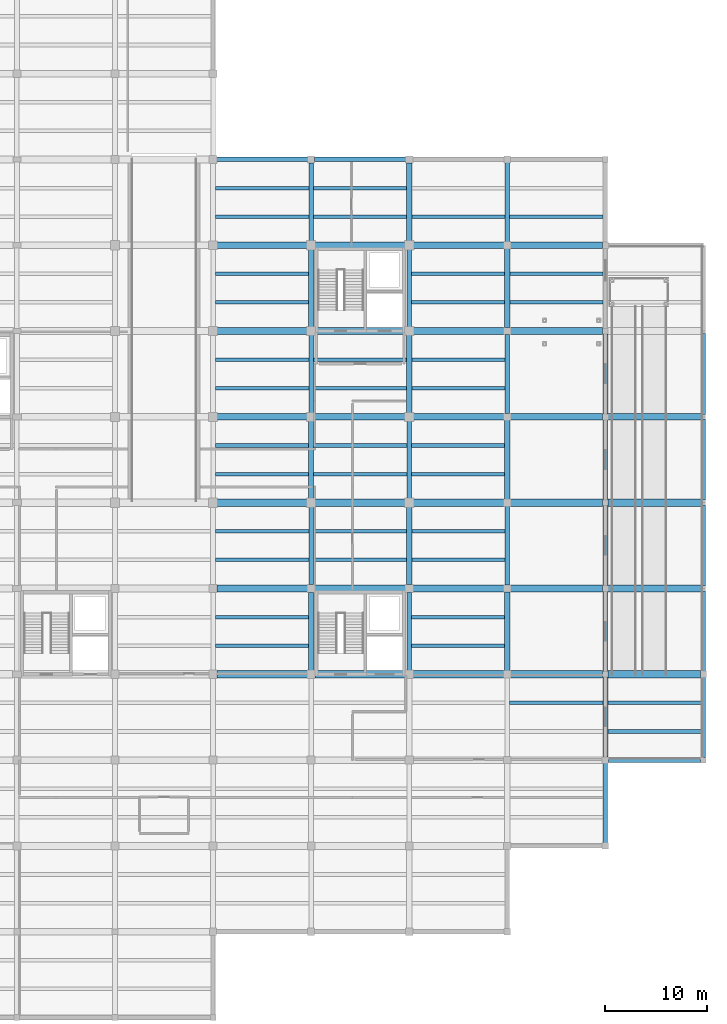
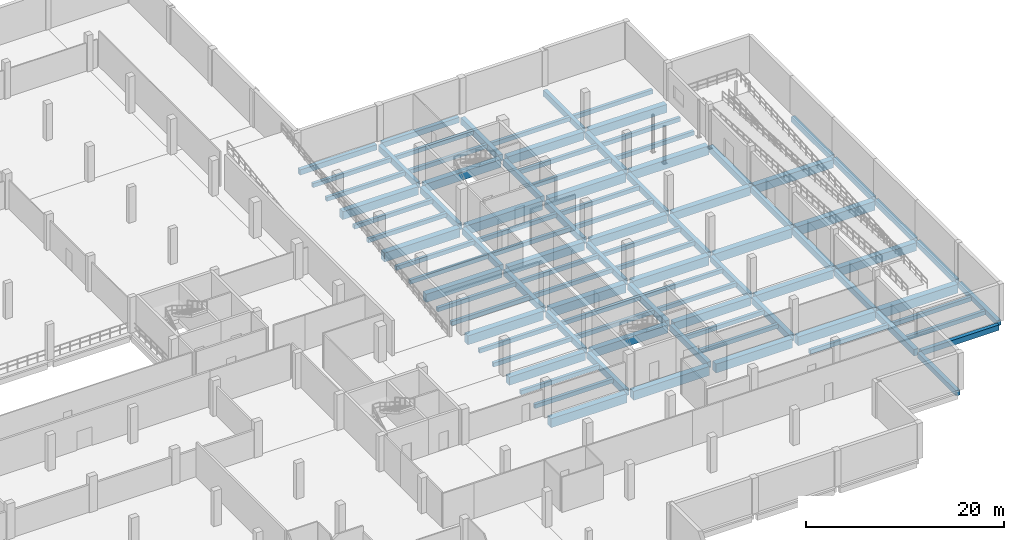
# One storey, part 12 of 30: 97 beams.
"""IFC4 building model written with IfcOpenShell, lengths in metres."""

from ifc_helpers import new_model, si_unit, direction, frame, origin, origin_2d, place, context, subcontext, project, spatial, rectangle, extrude, material, material_profile, profile_set, type_object, element, save


model = new_model("IFC4")

# Units and contexts
model_context = context("Model", 3, precision=1e-05, world=origin(), true_north=direction((0.0, 1.0)))
body_context = subcontext(model_context, "Body", "Model", "MODEL_VIEW")
ifc_project = project(units=[si_unit("LENGTHUNIT", "METRE"), si_unit("AREAUNIT", "SQUARE_METRE"), si_unit("VOLUMEUNIT", "CUBIC_METRE"), si_unit("PLANEANGLEUNIT", "RADIAN"), si_unit("MASSUNIT", "GRAM", prefix="KILO")], contexts=[model_context])

# Site, building, storey
site_placement = place(None, origin())
site = spatial("IfcSite", under=ifc_project, at=site_placement, CompositionType="ELEMENT")
building_placement = place(site_placement, origin())
building = spatial("IfcBuilding", under=site, at=building_placement, Name="Lornevale Opera House", CompositionType="ELEMENT")
storey_placement = place(building_placement, frame((0.0, 0.0, -4.800048828125)))
storey = spatial("IfcBuildingStorey", under=building, at=storey_placement, Name="B1", CompositionType="ELEMENT", Elevation=-4.800048828125)

# Beams
ifc_material_1 = material(Name="Concrete 35 MPa (CSA A23.1 N)", Category="concrete")
ifc_material_profile_1 = material_profile(ifc_material_1, rectangle(XDim=0.449951171875, YDim=0.75, at=origin_2d()), Name="RC450x750")
ifc_profile_set_1 = profile_set([ifc_material_profile_1], Name="Concrete 35 MPa (CSA A23.1 N)")
beam_type_1 = type_object("IfcBeamType", Name="Concrete Floor Beam 450x750", PredefinedType="USERDEFINED", material=ifc_profile_set_1)
beam_1_placement = place(storey_placement, frame((134.39990234375, 42.375, -0.794921875), z_axis=(0.0, 1.0, 0.0), x_axis=(-1.0, 0.0, 0.0)))
element("IfcBeam", 1, at=beam_1_placement, inside=storey, type_object=beam_type_1, Name="Concrete Floor Beam 450x750 0424", ObjectType="GIRDER", PredefinedType="USERDEFINED", context=body_context, shape_type="SweptSolid", body=[
    extrude(rectangle(XDim=0.449951171875, YDim=0.75, at=origin_2d()), origin(), (0.0, 0.0, 1.0), 7.625),
])
beam_2_placement = place(storey_placement, frame((134.39990234375, 59.199951171875, -0.794921875), z_axis=(0.0, 1.0, 0.0), x_axis=(-1.0, 0.0, 0.0)))
element("IfcBeam", 2, at=beam_2_placement, inside=storey, type_object=beam_type_1, Name="Concrete Floor Beam 450x750 0426", ObjectType="GIRDER", PredefinedType="USERDEFINED", context=body_context, shape_type="SweptSolid", body=[
    extrude(rectangle(XDim=0.449951171875, YDim=0.75, at=origin_2d()), origin(), (0.0, 0.0, 1.0), 7.60009765625),
])
beam_3_placement = place(storey_placement, frame((134.39990234375, 76.0, -0.794921875), z_axis=(0.0, 1.0, 0.0), x_axis=(-1.0, 0.0, 0.0)))
element("IfcBeam", 3, at=beam_3_placement, inside=storey, type_object=beam_type_1, Name="Concrete Floor Beam 450x750 0428", ObjectType="GIRDER", PredefinedType="USERDEFINED", context=body_context, shape_type="SweptSolid", body=[
    extrude(rectangle(XDim=0.449951171875, YDim=0.75, at=origin_2d()), origin(), (0.0, 0.0, 1.0), 7.675048828125),
])
beam_4_placement = place(storey_placement, frame((144.0, 33.97509765625, -0.794921875), z_axis=(0.0, 1.0, 0.0), x_axis=(-1.0, 0.0, 0.0)))
element("IfcBeam", 4, at=beam_4_placement, inside=storey, type_object=beam_type_1, Name="Concrete Floor Beam 450x750 0432", ObjectType="GIRDER", PredefinedType="USERDEFINED", context=body_context, shape_type="SweptSolid", body=[
    extrude(rectangle(XDim=0.449951171875, YDim=0.75, at=origin_2d()), origin(), (0.0, 0.0, 1.0), 7.64990234375),
])
for number, where, z_axis, x_axis, name in (
    (5, (144.0, 50.800048828125, -0.794921875), (0.0, 1.0, 0.0), (-1.0, 0.0, 0.0), "Concrete Floor Beam 450x750 0434"),
    (6, (144.0, 67.60009765625, -0.794921875), (0.0, 1.0, 0.0), (-1.0, 0.0, 0.0), "Concrete Floor Beam 450x750 0436"),
):
    element("IfcBeam", number, at=place(storey_placement, frame(where, z_axis=z_axis, x_axis=x_axis)), inside=storey, type_object=beam_type_1, Name=name, ObjectType="GIRDER", PredefinedType="USERDEFINED", context=body_context, shape_type="SweptSolid", body=[
        extrude(rectangle(XDim=0.449951171875, YDim=0.75, at=origin_2d()), origin(), (0.0, 0.0, 1.0), 7.599853515625),
    ])
for number, where, z_axis, x_axis, name in (
    (7, (153.60009765625, 42.324951171875, -0.794921875), (0.0, 1.0, 0.0), (-1.0, 0.0, 0.0), "Concrete Floor Beam 450x750 0442"),
    (8, (153.60009765625, 59.125, -0.794921875), (0.0, 1.0, 0.0), (-1.0, 0.0, 0.0), "Concrete Floor Beam 450x750 0444"),
):
    element("IfcBeam", number, at=place(storey_placement, frame(where, z_axis=z_axis, x_axis=x_axis)), inside=storey, type_object=beam_type_1, Name=name, ObjectType="GIRDER", PredefinedType="USERDEFINED", context=body_context, shape_type="SweptSolid", body=[
        extrude(rectangle(XDim=0.449951171875, YDim=0.75, at=origin_2d()), origin(), (0.0, 0.0, 1.0), 7.75),
    ])
beam_5_placement = place(storey_placement, frame((153.60009765625, 75.925048828125, -0.794921875), z_axis=(0.0, 1.0, 0.0), x_axis=(-1.0, 0.0, 0.0)))
element("IfcBeam", 9, at=beam_5_placement, inside=storey, type_object=beam_type_1, Name="Concrete Floor Beam 450x750 0446", ObjectType="GIRDER", PredefinedType="USERDEFINED", context=body_context, shape_type="SweptSolid", body=[
    extrude(rectangle(XDim=0.449951171875, YDim=0.75, at=origin_2d()), origin(), (0.0, 0.0, 1.0), 7.77490234375),
])
beam_6_placement = place(storey_placement, frame((163.199951171875, 33.875, -0.794921875), z_axis=(0.0, 1.0, 0.0), x_axis=(-1.0, 0.0, 0.0)))
element("IfcBeam", 10, at=beam_6_placement, inside=storey, type_object=beam_type_1, Name="Concrete Floor Beam 450x750 0449", ObjectType="GIRDER", PredefinedType="USERDEFINED", context=body_context, shape_type="SweptSolid", body=[
    extrude(rectangle(XDim=0.449951171875, YDim=0.75, at=origin_2d()), origin(), (0.0, 0.0, 1.0), 7.85009765625),
])
beam_7_placement = place(storey_placement, frame((163.199951171875, 50.675048828125, -0.794921875), z_axis=(0.0, 1.0, 0.0), x_axis=(-1.0, 0.0, 0.0)))
element("IfcBeam", 11, at=beam_7_placement, inside=storey, type_object=beam_type_1, Name="Concrete Floor Beam 450x750 0451", ObjectType="GIRDER", PredefinedType="USERDEFINED", context=body_context, shape_type="SweptSolid", body=[
    extrude(rectangle(XDim=0.449951171875, YDim=0.75, at=origin_2d()), origin(), (0.0, 0.0, 1.0), 7.849853515625),
])
ifc_material_profile_2 = material_profile(ifc_material_1, rectangle(XDim=0.5, YDim=0.800048828125, at=origin_2d()), Name="RC500x800")
ifc_profile_set_2 = profile_set([ifc_material_profile_2], Name="Concrete 35 MPa (CSA A23.1 N)")
beam_type_2 = type_object("IfcBeamType", Name="Concrete Floor Beam 500x800", PredefinedType="USERDEFINED", material=ifc_profile_set_2)
beam_8_placement = place(storey_placement, frame((134.39990234375, 33.97509765625, -0.820068359375), z_axis=(0.0, 1.0, 0.0), x_axis=(-1.0, 0.0, 0.0)))
element("IfcBeam", 12, at=beam_8_placement, inside=storey, type_object=beam_type_2, Name="Concrete Floor Beam 500x800 0423", ObjectType="GIRDER", PredefinedType="USERDEFINED", context=body_context, shape_type="SweptSolid", body=[
    extrude(rectangle(XDim=0.5, YDim=0.800048828125, at=origin_2d()), origin(), (0.0, 0.0, 1.0), 7.64990234375),
])
for number, where, z_axis, x_axis, name in (
    (13, (134.39990234375, 50.800048828125, -0.820068359375), (0.0, 1.0, 0.0), (-1.0, 0.0, 0.0), "Concrete Floor Beam 500x800 0425"),
    (14, (134.39990234375, 67.60009765625, -0.820068359375), (0.0, 1.0, 0.0), (-1.0, 0.0, 0.0), "Concrete Floor Beam 500x800 0427"),
):
    element("IfcBeam", number, at=place(storey_placement, frame(where, z_axis=z_axis, x_axis=x_axis)), inside=storey, type_object=beam_type_2, Name=name, ObjectType="GIRDER", PredefinedType="USERDEFINED", context=body_context, shape_type="SweptSolid", body=[
        extrude(rectangle(XDim=0.5, YDim=0.800048828125, at=origin_2d()), origin(), (0.0, 0.0, 1.0), 7.599853515625),
    ])
beam_9_placement = place(storey_placement, frame((144.0, 42.375, -0.820068359375), z_axis=(0.0, 1.0, 0.0), x_axis=(-1.0, 0.0, 0.0)))
element("IfcBeam", 15, at=beam_9_placement, inside=storey, type_object=beam_type_2, Name="Concrete Floor Beam 500x800 0433", ObjectType="GIRDER", PredefinedType="USERDEFINED", context=body_context, shape_type="SweptSolid", body=[
    extrude(rectangle(XDim=0.5, YDim=0.800048828125, at=origin_2d()), origin(), (0.0, 0.0, 1.0), 7.625),
])
beam_10_placement = place(storey_placement, frame((144.0, 59.199951171875, -0.820068359375), z_axis=(0.0, 1.0, 0.0), x_axis=(-1.0, 0.0, 0.0)))
element("IfcBeam", 16, at=beam_10_placement, inside=storey, type_object=beam_type_2, Name="Concrete Floor Beam 500x800 0435", ObjectType="GIRDER", PredefinedType="USERDEFINED", context=body_context, shape_type="SweptSolid", body=[
    extrude(rectangle(XDim=0.5, YDim=0.800048828125, at=origin_2d()), origin(), (0.0, 0.0, 1.0), 7.60009765625),
])
beam_11_placement = place(storey_placement, frame((144.0, 76.0, -0.820068359375), z_axis=(0.0, 1.0, 0.0), x_axis=(-1.0, 0.0, 0.0)))
element("IfcBeam", 17, at=beam_11_placement, inside=storey, type_object=beam_type_2, Name="Concrete Floor Beam 500x800 0437", ObjectType="GIRDER", PredefinedType="USERDEFINED", context=body_context, shape_type="SweptSolid", body=[
    extrude(rectangle(XDim=0.5, YDim=0.800048828125, at=origin_2d()), origin(), (0.0, 0.0, 1.0), 7.675048828125),
])
for number, where, z_axis, x_axis, name in (
    (18, (153.60009765625, 33.925048828125, -0.820068359375), (0.0, 1.0, 0.0), (-1.0, 0.0, 0.0), "Concrete Floor Beam 500x800 0441"),
    (19, (153.60009765625, 50.72509765625, -0.820068359375), (0.0, 1.0, 0.0), (-1.0, 0.0, 0.0), "Concrete Floor Beam 500x800 0443"),
    (20, (153.60009765625, 67.52490234375, -0.820068359375), (0.0, 1.0, 0.0), (-1.0, 0.0, 0.0), "Concrete Floor Beam 500x800 0445"),
):
    element("IfcBeam", number, at=place(storey_placement, frame(where, z_axis=z_axis, x_axis=x_axis)), inside=storey, type_object=beam_type_2, Name=name, ObjectType="GIRDER", PredefinedType="USERDEFINED", context=body_context, shape_type="SweptSolid", body=[
        extrude(rectangle(XDim=0.5, YDim=0.800048828125, at=origin_2d()), origin(), (0.0, 0.0, 1.0), 7.75),
    ])
beam_12_placement = place(storey_placement, frame((163.199951171875, 25.5, -0.820068359375), z_axis=(0.0, 1.0, 0.0), x_axis=(-1.0, 0.0, 0.0)))
element("IfcBeam", 21, at=beam_12_placement, inside=storey, type_object=beam_type_2, Name="Concrete Floor Beam 500x800 0448", ObjectType="GIRDER", PredefinedType="USERDEFINED", context=body_context, shape_type="SweptSolid", body=[
    extrude(rectangle(XDim=0.5, YDim=0.800048828125, at=origin_2d()), origin(), (0.0, 0.0, 1.0), 7.824951171875),
])
for number, where, z_axis, x_axis, name in (
    (22, (163.199951171875, 42.27490234375, -0.820068359375), (0.0, 1.0, 0.0), (-1.0, 0.0, 0.0), "Concrete Floor Beam 500x800 0450"),
    (23, (163.199951171875, 59.074951171875, -0.820068359375), (0.0, 1.0, 0.0), (-1.0, 0.0, 0.0), "Concrete Floor Beam 500x800 0452"),
):
    element("IfcBeam", number, at=place(storey_placement, frame(where, z_axis=z_axis, x_axis=x_axis)), inside=storey, type_object=beam_type_2, Name=name, ObjectType="GIRDER", PredefinedType="USERDEFINED", context=body_context, shape_type="SweptSolid", body=[
        extrude(rectangle(XDim=0.5, YDim=0.800048828125, at=origin_2d()), origin(), (0.0, 0.0, 1.0), 7.85009765625),
    ])
ifc_material_2 = material(Name="Concrete 40 MPa (CSA A23.1 C-1)", Category="concrete")
ifc_material_profile_3 = material_profile(ifc_material_2, rectangle(XDim=0.64990234375, YDim=1.0, at=origin_2d()), Name="RC650x1000")
ifc_profile_set_3 = profile_set([ifc_material_profile_3], Name="Concrete 40 MPa (CSA A23.1 C-1)")
beam_type_3 = type_object("IfcBeamType", Name="Concrete Primary Girder 650x1000", PredefinedType="USERDEFINED", material=ifc_profile_set_3)
beam_13_placement = place(storey_placement, frame((125.175048828125, 42.0, -0.919921875), z_axis=(1.0, 0.0, 0.0), x_axis=(0.0, 1.0, 0.0)))
element("IfcBeam", 24, at=beam_13_placement, inside=storey, type_object=beam_type_3, Name="Concrete Primary Girder 650x1000 0096", ObjectType="GIRDER", PredefinedType="USERDEFINED", context=body_context, shape_type="SweptSolid", body=[
    extrude(rectangle(XDim=0.64990234375, YDim=1.0, at=origin_2d()), origin(), (0.0, 0.0, 1.0), 8.849853515625),
])
beam_14_placement = place(storey_placement, frame((134.77490234375, 42.0, -0.919921875), z_axis=(1.0, 0.0, 0.0), x_axis=(0.0, 1.0, 0.0)))
element("IfcBeam", 25, at=beam_14_placement, inside=storey, type_object=beam_type_3, Name="Concrete Primary Girder 650x1000 0097", ObjectType="GIRDER", PredefinedType="USERDEFINED", context=body_context, shape_type="SweptSolid", body=[
    extrude(rectangle(XDim=0.64990234375, YDim=1.0, at=origin_2d()), origin(), (0.0, 0.0, 1.0), 8.85009765625),
])
beam_15_placement = place(storey_placement, frame((144.375, 42.0, -0.919921875), z_axis=(1.0, 0.0, 0.0), x_axis=(0.0, 1.0, 0.0)))
element("IfcBeam", 26, at=beam_15_placement, inside=storey, type_object=beam_type_3, Name="Concrete Primary Girder 650x1000 0098", ObjectType="GIRDER", PredefinedType="USERDEFINED", context=body_context, shape_type="SweptSolid", body=[
    extrude(rectangle(XDim=0.64990234375, YDim=1.0, at=origin_2d()), origin(), (0.0, 0.0, 1.0), 8.89990234375),
])
beam_16_placement = place(storey_placement, frame((153.925048828125, 42.0, -0.919921875), z_axis=(1.0, 0.0, 0.0), x_axis=(0.0, 1.0, 0.0)))
element("IfcBeam", 27, at=beam_16_placement, inside=storey, type_object=beam_type_3, Name="Concrete Primary Girder 650x1000 0099", ObjectType="GIRDER", PredefinedType="USERDEFINED", context=body_context, shape_type="SweptSolid", body=[
    extrude(rectangle(XDim=0.64990234375, YDim=1.0, at=origin_2d()), origin(), (0.0, 0.0, 1.0), 9.0),
])
beam_17_placement = place(storey_placement, frame((163.47509765625, 42.0, -0.919921875), z_axis=(1.0, 0.0, 0.0), x_axis=(0.0, 1.0, 0.0)))
element("IfcBeam", 28, at=beam_17_placement, inside=storey, type_object=beam_type_3, Name="Concrete Primary Girder 650x1000 0100", ObjectType="GIRDER", PredefinedType="USERDEFINED", context=body_context, shape_type="SweptSolid", body=[
    extrude(rectangle(XDim=0.64990234375, YDim=1.0, at=origin_2d()), origin(), (0.0, 0.0, 1.0), 9.099853515625),
])
for number, where, z_axis, x_axis, name in (
    (29, (125.199951171875, 58.800048828125, -0.919921875), (1.0, 0.0, 0.0), (0.0, 1.0, 0.0), "Concrete Primary Girder 650x1000 0132"),
    (30, (134.800048828125, 58.800048828125, -0.919921875), (1.0, 0.0, 0.0), (0.0, 1.0, 0.0), "Concrete Primary Girder 650x1000 0133"),
):
    element("IfcBeam", number, at=place(storey_placement, frame(where, z_axis=z_axis, x_axis=x_axis)), inside=storey, type_object=beam_type_3, Name=name, ObjectType="GIRDER", PredefinedType="USERDEFINED", context=body_context, shape_type="SweptSolid", body=[
        extrude(rectangle(XDim=0.64990234375, YDim=1.0, at=origin_2d()), origin(), (0.0, 0.0, 1.0), 8.800048828125),
    ])
beam_18_placement = place(storey_placement, frame((144.39990234375, 58.800048828125, -0.919921875), z_axis=(1.0, 0.0, 0.0), x_axis=(0.0, 1.0, 0.0)))
element("IfcBeam", 31, at=beam_18_placement, inside=storey, type_object=beam_type_3, Name="Concrete Primary Girder 650x1000 0134", ObjectType="GIRDER", PredefinedType="USERDEFINED", context=body_context, shape_type="SweptSolid", body=[
    extrude(rectangle(XDim=0.64990234375, YDim=1.0, at=origin_2d()), origin(), (0.0, 0.0, 1.0), 8.875),
])
beam_19_placement = place(storey_placement, frame((153.925048828125, 58.800048828125, -0.919921875), z_axis=(1.0, 0.0, 0.0), x_axis=(0.0, 1.0, 0.0)))
element("IfcBeam", 32, at=beam_19_placement, inside=storey, type_object=beam_type_3, Name="Concrete Primary Girder 650x1000 0135", ObjectType="GIRDER", PredefinedType="USERDEFINED", context=body_context, shape_type="SweptSolid", body=[
    extrude(rectangle(XDim=0.64990234375, YDim=1.0, at=origin_2d()), origin(), (0.0, 0.0, 1.0), 9.0),
])
beam_20_placement = place(storey_placement, frame((163.47509765625, 58.800048828125, -0.919921875), z_axis=(1.0, 0.0, 0.0), x_axis=(0.0, 1.0, 0.0)))
element("IfcBeam", 33, at=beam_20_placement, inside=storey, type_object=beam_type_3, Name="Concrete Primary Girder 650x1000 0136", ObjectType="GIRDER", PredefinedType="USERDEFINED", context=body_context, shape_type="SweptSolid", body=[
    extrude(rectangle(XDim=0.64990234375, YDim=1.0, at=origin_2d()), origin(), (0.0, 0.0, 1.0), 9.099853515625),
])
for number, where, z_axis, x_axis, name in (
    (34, (125.199951171875, 75.60009765625, -0.919921875), (1.0, 0.0, 0.0), (0.0, 1.0, 0.0), "Concrete Primary Girder 650x1000 0168"),
    (35, (134.800048828125, 75.60009765625, -0.919921875), (1.0, 0.0, 0.0), (0.0, 1.0, 0.0), "Concrete Primary Girder 650x1000 0169"),
):
    element("IfcBeam", number, at=place(storey_placement, frame(where, z_axis=z_axis, x_axis=x_axis)), inside=storey, type_object=beam_type_3, Name=name, ObjectType="GIRDER", PredefinedType="USERDEFINED", context=body_context, shape_type="SweptSolid", body=[
        extrude(rectangle(XDim=0.64990234375, YDim=1.0, at=origin_2d()), origin(), (0.0, 0.0, 1.0), 8.800048828125),
    ])
beam_21_placement = place(storey_placement, frame((144.39990234375, 75.60009765625, -0.919921875), z_axis=(1.0, 0.0, 0.0), x_axis=(0.0, 1.0, 0.0)))
element("IfcBeam", 36, at=beam_21_placement, inside=storey, type_object=beam_type_3, Name="Concrete Primary Girder 650x1000 0170", ObjectType="GIRDER", PredefinedType="USERDEFINED", context=body_context, shape_type="SweptSolid", body=[
    extrude(rectangle(XDim=0.64990234375, YDim=1.0, at=origin_2d()), origin(), (0.0, 0.0, 1.0), 8.875),
])
beam_22_placement = place(storey_placement, frame((153.925048828125, 75.60009765625, -0.919921875), z_axis=(1.0, 0.0, 0.0), x_axis=(0.0, 1.0, 0.0)))
element("IfcBeam", 37, at=beam_22_placement, inside=storey, type_object=beam_type_3, Name="Concrete Primary Girder 650x1000 0171", ObjectType="GIRDER", PredefinedType="USERDEFINED", context=body_context, shape_type="SweptSolid", body=[
    extrude(rectangle(XDim=0.64990234375, YDim=1.0, at=origin_2d()), origin(), (0.0, 0.0, 1.0), 9.0),
])
ifc_material_profile_4 = material_profile(ifc_material_2, rectangle(XDim=0.699951171875, YDim=1.10009765625, at=origin_2d()), Name="RC700x1100")
ifc_profile_set_4 = profile_set([ifc_material_profile_4], Name="Concrete 40 MPa (CSA A23.1 C-1)")
beam_type_4 = type_object("IfcBeamType", Name="Concrete Primary Girder 700x1100", PredefinedType="USERDEFINED", material=ifc_profile_set_4)
beam_23_placement = place(storey_placement, frame((125.175048828125, 33.60009765625, -0.969970703125), z_axis=(1.0, 0.0, 0.0), x_axis=(0.0, 1.0, 0.0)))
element("IfcBeam", 38, at=beam_23_placement, inside=storey, type_object=beam_type_4, Name="Concrete Primary Girder 700x1100 0078", ObjectType="GIRDER", PredefinedType="USERDEFINED", context=body_context, shape_type="SweptSolid", body=[
    extrude(rectangle(XDim=0.699951171875, YDim=1.10009765625, at=origin_2d()), origin(), (0.0, 0.0, 1.0), 8.849853515625),
])
beam_24_placement = place(storey_placement, frame((134.77490234375, 33.60009765625, -0.969970703125), z_axis=(1.0, 0.0, 0.0), x_axis=(0.0, 1.0, 0.0)))
element("IfcBeam", 39, at=beam_24_placement, inside=storey, type_object=beam_type_4, Name="Concrete Primary Girder 700x1100 0079", ObjectType="GIRDER", PredefinedType="USERDEFINED", context=body_context, shape_type="SweptSolid", body=[
    extrude(rectangle(XDim=0.699951171875, YDim=1.10009765625, at=origin_2d()), origin(), (0.0, 0.0, 1.0), 8.85009765625),
])
beam_25_placement = place(storey_placement, frame((144.375, 33.60009765625, -0.969970703125), z_axis=(1.0, 0.0, 0.0), x_axis=(0.0, 1.0, 0.0)))
element("IfcBeam", 40, at=beam_25_placement, inside=storey, type_object=beam_type_4, Name="Concrete Primary Girder 700x1100 0080", ObjectType="GIRDER", PredefinedType="USERDEFINED", context=body_context, shape_type="SweptSolid", body=[
    extrude(rectangle(XDim=0.699951171875, YDim=1.10009765625, at=origin_2d()), origin(), (0.0, 0.0, 1.0), 8.89990234375),
])
beam_26_placement = place(storey_placement, frame((153.925048828125, 33.60009765625, -0.969970703125), z_axis=(1.0, 0.0, 0.0), x_axis=(0.0, 1.0, 0.0)))
element("IfcBeam", 41, at=beam_26_placement, inside=storey, type_object=beam_type_4, Name="Concrete Primary Girder 700x1100 0081", ObjectType="GIRDER", PredefinedType="USERDEFINED", context=body_context, shape_type="SweptSolid", body=[
    extrude(rectangle(XDim=0.699951171875, YDim=1.10009765625, at=origin_2d()), origin(), (0.0, 0.0, 1.0), 9.0),
])
beam_27_placement = place(storey_placement, frame((163.47509765625, 33.60009765625, -0.969970703125), z_axis=(1.0, 0.0, 0.0), x_axis=(0.0, 1.0, 0.0)))
element("IfcBeam", 42, at=beam_27_placement, inside=storey, type_object=beam_type_4, Name="Concrete Primary Girder 700x1100 0082", ObjectType="GIRDER", PredefinedType="USERDEFINED", context=body_context, shape_type="SweptSolid", body=[
    extrude(rectangle(XDim=0.699951171875, YDim=1.10009765625, at=origin_2d()), origin(), (0.0, 0.0, 1.0), 9.0498046875),
])
for number, where, z_axis, x_axis, name in (
    (43, (125.199951171875, 50.39990234375, -0.969970703125), (1.0, 0.0, 0.0), (0.0, 1.0, 0.0), "Concrete Primary Girder 700x1100 0114"),
    (44, (134.800048828125, 50.39990234375, -0.969970703125), (1.0, 0.0, 0.0), (0.0, 1.0, 0.0), "Concrete Primary Girder 700x1100 0115"),
):
    element("IfcBeam", number, at=place(storey_placement, frame(where, z_axis=z_axis, x_axis=x_axis)), inside=storey, type_object=beam_type_4, Name=name, ObjectType="GIRDER", PredefinedType="USERDEFINED", context=body_context, shape_type="SweptSolid", body=[
        extrude(rectangle(XDim=0.699951171875, YDim=1.10009765625, at=origin_2d()), origin(), (0.0, 0.0, 1.0), 8.800048828125),
    ])
beam_28_placement = place(storey_placement, frame((144.39990234375, 50.39990234375, -0.969970703125), z_axis=(1.0, 0.0, 0.0), x_axis=(0.0, 1.0, 0.0)))
element("IfcBeam", 45, at=beam_28_placement, inside=storey, type_object=beam_type_4, Name="Concrete Primary Girder 700x1100 0116", ObjectType="GIRDER", PredefinedType="USERDEFINED", context=body_context, shape_type="SweptSolid", body=[
    extrude(rectangle(XDim=0.699951171875, YDim=1.10009765625, at=origin_2d()), origin(), (0.0, 0.0, 1.0), 8.875),
])
beam_29_placement = place(storey_placement, frame((153.925048828125, 50.39990234375, -0.969970703125), z_axis=(1.0, 0.0, 0.0), x_axis=(0.0, 1.0, 0.0)))
element("IfcBeam", 46, at=beam_29_placement, inside=storey, type_object=beam_type_4, Name="Concrete Primary Girder 700x1100 0117", ObjectType="GIRDER", PredefinedType="USERDEFINED", context=body_context, shape_type="SweptSolid", body=[
    extrude(rectangle(XDim=0.699951171875, YDim=1.10009765625, at=origin_2d()), origin(), (0.0, 0.0, 1.0), 9.0),
])
beam_30_placement = place(storey_placement, frame((163.47509765625, 50.39990234375, -0.969970703125), z_axis=(1.0, 0.0, 0.0), x_axis=(0.0, 1.0, 0.0)))
element("IfcBeam", 47, at=beam_30_placement, inside=storey, type_object=beam_type_4, Name="Concrete Primary Girder 700x1100 0118", ObjectType="GIRDER", PredefinedType="USERDEFINED", context=body_context, shape_type="SweptSolid", body=[
    extrude(rectangle(XDim=0.699951171875, YDim=1.10009765625, at=origin_2d()), origin(), (0.0, 0.0, 1.0), 9.074951171875),
])
for number, where, z_axis, x_axis, name in (
    (48, (125.199951171875, 67.199951171875, -0.969970703125), (1.0, 0.0, 0.0), (0.0, 1.0, 0.0), "Concrete Primary Girder 700x1100 0150"),
    (49, (134.800048828125, 67.199951171875, -0.969970703125), (1.0, 0.0, 0.0), (0.0, 1.0, 0.0), "Concrete Primary Girder 700x1100 0151"),
):
    element("IfcBeam", number, at=place(storey_placement, frame(where, z_axis=z_axis, x_axis=x_axis)), inside=storey, type_object=beam_type_4, Name=name, ObjectType="GIRDER", PredefinedType="USERDEFINED", context=body_context, shape_type="SweptSolid", body=[
        extrude(rectangle(XDim=0.699951171875, YDim=1.10009765625, at=origin_2d()), origin(), (0.0, 0.0, 1.0), 8.800048828125),
    ])
beam_31_placement = place(storey_placement, frame((144.39990234375, 67.199951171875, -0.969970703125), z_axis=(1.0, 0.0, 0.0), x_axis=(0.0, 1.0, 0.0)))
element("IfcBeam", 50, at=beam_31_placement, inside=storey, type_object=beam_type_4, Name="Concrete Primary Girder 700x1100 0152", ObjectType="GIRDER", PredefinedType="USERDEFINED", context=body_context, shape_type="SweptSolid", body=[
    extrude(rectangle(XDim=0.699951171875, YDim=1.10009765625, at=origin_2d()), origin(), (0.0, 0.0, 1.0), 8.875),
])
beam_32_placement = place(storey_placement, frame((153.925048828125, 67.199951171875, -0.969970703125), z_axis=(1.0, 0.0, 0.0), x_axis=(0.0, 1.0, 0.0)))
element("IfcBeam", 51, at=beam_32_placement, inside=storey, type_object=beam_type_4, Name="Concrete Primary Girder 700x1100 0153", ObjectType="GIRDER", PredefinedType="USERDEFINED", context=body_context, shape_type="SweptSolid", body=[
    extrude(rectangle(XDim=0.699951171875, YDim=1.10009765625, at=origin_2d()), origin(), (0.0, 0.0, 1.0), 9.0),
])
ifc_material_profile_5 = material_profile(ifc_material_1, rectangle(XDim=0.35009765625, YDim=0.5, at=origin_2d()), Name="RC350x500")
ifc_profile_set_5 = profile_set([ifc_material_profile_5], Name="Concrete 35 MPa (CSA A23.1 N)")
beam_type_5 = type_object("IfcBeamType", Name="Concrete Secondary Rib 350x500", PredefinedType="JOIST", material=ifc_profile_set_5)
for number, where, z_axis, x_axis, name in (
    (52, (125.02490234375, 36.39990234375, -0.669921875), (1.0, 0.0, 0.0), (0.0, 1.0, 0.0), "Concrete Secondary Rib 350x500 0787"),
    (53, (125.02490234375, 39.199951171875, -0.669921875), (1.0, 0.0, 0.0), (0.0, 1.0, 0.0), "Concrete Secondary Rib 350x500 0788"),
    (54, (125.050048828125, 44.800048828125, -0.669921875), (1.0, 0.0, 0.0), (0.0, 1.0, 0.0), "Concrete Secondary Rib 350x500 0789"),
    (55, (125.050048828125, 47.60009765625, -0.669921875), (1.0, 0.0, 0.0), (0.0, 1.0, 0.0), "Concrete Secondary Rib 350x500 0790"),
    (56, (125.02490234375, 53.199951171875, -0.669921875), (1.0, 0.0, 0.0), (0.0, 1.0, 0.0), "Concrete Secondary Rib 350x500 0791"),
    (57, (125.02490234375, 56.0, -0.669921875), (1.0, 0.0, 0.0), (0.0, 1.0, 0.0), "Concrete Secondary Rib 350x500 0792"),
    (58, (125.050048828125, 61.60009765625, -0.669921875), (1.0, 0.0, 0.0), (0.0, 1.0, 0.0), "Concrete Secondary Rib 350x500 0793"),
    (59, (125.050048828125, 64.39990234375, -0.669921875), (1.0, 0.0, 0.0), (0.0, 1.0, 0.0), "Concrete Secondary Rib 350x500 0794"),
    (60, (125.02490234375, 70.0, -0.669921875), (1.0, 0.0, 0.0), (0.0, 1.0, 0.0), "Concrete Secondary Rib 350x500 0795"),
    (61, (125.02490234375, 72.800048828125, -0.669921875), (1.0, 0.0, 0.0), (0.0, 1.0, 0.0), "Concrete Secondary Rib 350x500 0796"),
    (62, (125.050048828125, 78.39990234375, -0.669921875), (1.0, 0.0, 0.0), (0.0, 1.0, 0.0), "Concrete Secondary Rib 350x500 0797"),
    (63, (125.050048828125, 81.199951171875, -0.669921875), (1.0, 0.0, 0.0), (0.0, 1.0, 0.0), "Concrete Secondary Rib 350x500 0798"),
    (64, (134.625, 44.800048828125, -0.669921875), (1.0, 0.0, 0.0), (0.0, 1.0, 0.0), "Concrete Secondary Rib 350x500 0805"),
    (65, (134.625, 47.60009765625, -0.669921875), (1.0, 0.0, 0.0), (0.0, 1.0, 0.0), "Concrete Secondary Rib 350x500 0806"),
    (66, (134.64990234375, 53.199951171875, -0.669921875), (1.0, 0.0, 0.0), (0.0, 1.0, 0.0), "Concrete Secondary Rib 350x500 0807"),
    (67, (134.64990234375, 56.0, -0.669921875), (1.0, 0.0, 0.0), (0.0, 1.0, 0.0), "Concrete Secondary Rib 350x500 0808"),
    (68, (134.625, 61.60009765625, -0.669921875), (1.0, 0.0, 0.0), (0.0, 1.0, 0.0), "Concrete Secondary Rib 350x500 0809"),
    (69, (134.625, 64.39990234375, -0.669921875), (1.0, 0.0, 0.0), (0.0, 1.0, 0.0), "Concrete Secondary Rib 350x500 0810"),
    (70, (134.625, 78.39990234375, -0.669921875), (1.0, 0.0, 0.0), (0.0, 1.0, 0.0), "Concrete Secondary Rib 350x500 0811"),
    (71, (134.625, 81.199951171875, -0.669921875), (1.0, 0.0, 0.0), (0.0, 1.0, 0.0), "Concrete Secondary Rib 350x500 0812"),
    (72, (144.22509765625, 36.39990234375, -0.669921875), (1.0, 0.0, 0.0), (0.0, 1.0, 0.0), "Concrete Secondary Rib 350x500 0819"),
    (73, (144.22509765625, 39.199951171875, -0.669921875), (1.0, 0.0, 0.0), (0.0, 1.0, 0.0), "Concrete Secondary Rib 350x500 0820"),
    (74, (144.25, 44.800048828125, -0.669921875), (1.0, 0.0, 0.0), (0.0, 1.0, 0.0), "Concrete Secondary Rib 350x500 0821"),
    (75, (144.25, 47.60009765625, -0.669921875), (1.0, 0.0, 0.0), (0.0, 1.0, 0.0), "Concrete Secondary Rib 350x500 0822"),
    (76, (144.22509765625, 53.199951171875, -0.669921875), (1.0, 0.0, 0.0), (0.0, 1.0, 0.0), "Concrete Secondary Rib 350x500 0823"),
    (77, (144.22509765625, 56.0, -0.669921875), (1.0, 0.0, 0.0), (0.0, 1.0, 0.0), "Concrete Secondary Rib 350x500 0824"),
    (78, (144.25, 61.60009765625, -0.669921875), (1.0, 0.0, 0.0), (0.0, 1.0, 0.0), "Concrete Secondary Rib 350x500 0825"),
    (79, (144.25, 64.39990234375, -0.669921875), (1.0, 0.0, 0.0), (0.0, 1.0, 0.0), "Concrete Secondary Rib 350x500 0826"),
    (80, (144.22509765625, 70.0, -0.669921875), (1.0, 0.0, 0.0), (0.0, 1.0, 0.0), "Concrete Secondary Rib 350x500 0827"),
    (81, (144.22509765625, 72.800048828125, -0.669921875), (1.0, 0.0, 0.0), (0.0, 1.0, 0.0), "Concrete Secondary Rib 350x500 0828"),
    (82, (144.25, 78.39990234375, -0.669921875), (1.0, 0.0, 0.0), (0.0, 1.0, 0.0), "Concrete Secondary Rib 350x500 0829"),
    (83, (153.824951171875, 30.800048828125, -0.669921875), (1.0, 0.0, 0.0), (0.0, 1.0, 0.0), "Concrete Secondary Rib 350x500 0834"),
    (84, (153.85009765625, 70.0, -0.669921875), (1.0, 0.0, 0.0), (0.0, 1.0, 0.0), "Concrete Secondary Rib 350x500 0835"),
    (85, (153.85009765625, 72.800048828125, -0.669921875), (1.0, 0.0, 0.0), (0.0, 1.0, 0.0), "Concrete Secondary Rib 350x500 0836"),
):
    element("IfcBeam", number, at=place(storey_placement, frame(where, z_axis=z_axis, x_axis=x_axis)), inside=storey, type_object=beam_type_5, Name=name, PredefinedType="JOIST", context=body_context, shape_type="SweptSolid", body=[
        extrude(rectangle(XDim=0.35009765625, YDim=0.5, at=origin_2d()), origin(), (0.0, 0.0, 1.0), 9.125),
    ])
beam_33_placement = place(storey_placement, frame((153.824951171875, 78.39990234375, -0.669921875), z_axis=(1.0, 0.0, 0.0), x_axis=(0.0, 1.0, 0.0)))
element("IfcBeam", 86, at=beam_33_placement, inside=storey, type_object=beam_type_5, Name="Concrete Secondary Rib 350x500 0837", PredefinedType="JOIST", context=body_context, shape_type="SweptSolid", body=[
    extrude(rectangle(XDim=0.35009765625, YDim=0.5, at=origin_2d()), origin(), (0.0, 0.0, 1.0), 9.150146484375),
])
for number, where, z_axis, x_axis, name in (
    (87, (163.449951171875, 28.0, -0.669921875), (1.0, 0.0, 0.0), (0.0, 1.0, 0.0), "Concrete Secondary Rib 350x500 0839"),
    (88, (163.449951171875, 30.800048828125, -0.669921875), (1.0, 0.0, 0.0), (0.0, 1.0, 0.0), "Concrete Secondary Rib 350x500 0840"),
):
    element("IfcBeam", number, at=place(storey_placement, frame(where, z_axis=z_axis, x_axis=x_axis)), inside=storey, type_object=beam_type_5, Name=name, PredefinedType="JOIST", context=body_context, shape_type="SweptSolid", body=[
        extrude(rectangle(XDim=0.35009765625, YDim=0.5, at=origin_2d()), origin(), (0.0, 0.0, 1.0), 9.125),
    ])
ifc_material_profile_6 = material_profile(ifc_material_1, rectangle(XDim=0.449951171875, YDim=0.64990234375, at=origin_2d()), Name="RC450x650")
ifc_profile_set_6 = profile_set([ifc_material_profile_6], Name="Concrete 35 MPa (CSA A23.1 N)")
beam_type_6 = type_object("IfcBeamType", Name="Concrete Spandrel Beam 450x650", PredefinedType="SPANDREL", material=ifc_profile_set_6)
beam_34_placement = place(storey_placement, frame((163.5, 25.199951171875, -0.744873046875), z_axis=(1.0, 0.0, 0.0), x_axis=(0.0, 1.0, 0.0)))
element("IfcBeam", 89, at=beam_34_placement, inside=storey, type_object=beam_type_6, Name="Concrete Spandrel Beam 450x650 0064", PredefinedType="SPANDREL", context=body_context, shape_type="SweptSolid", body=[
    extrude(rectangle(XDim=0.449951171875, YDim=0.64990234375, at=origin_2d()), origin(), (0.0, 0.0, 1.0), 9.02490234375),
])
beam_35_placement = place(storey_placement, frame((125.14990234375, 84.0, -0.744873046875), z_axis=(1.0, 0.0, 0.0), x_axis=(0.0, 1.0, 0.0)))
element("IfcBeam", 90, at=beam_35_placement, inside=storey, type_object=beam_type_6, Name="Concrete Spandrel Beam 450x650 0186", PredefinedType="SPANDREL", context=body_context, shape_type="SweptSolid", body=[
    extrude(rectangle(XDim=0.449951171875, YDim=0.64990234375, at=origin_2d()), origin(), (0.0, 0.0, 1.0), 8.925048828125),
])
beam_36_placement = place(storey_placement, frame((134.72509765625, 84.0, -0.744873046875), z_axis=(1.0, 0.0, 0.0), x_axis=(0.0, 1.0, 0.0)))
element("IfcBeam", 91, at=beam_36_placement, inside=storey, type_object=beam_type_6, Name="Concrete Spandrel Beam 450x650 0187", PredefinedType="SPANDREL", context=body_context, shape_type="SweptSolid", body=[
    extrude(rectangle(XDim=0.449951171875, YDim=0.64990234375, at=origin_2d()), origin(), (0.0, 0.0, 1.0), 8.949951171875),
])
beam_37_placement = place(storey_placement, frame((163.199951171875, 17.10009765625, -0.744873046875), z_axis=(0.0, 1.0, 0.0), x_axis=(-1.0, 0.0, 0.0)))
element("IfcBeam", 92, at=beam_37_placement, inside=storey, type_object=beam_type_6, Name="Concrete Spandrel Beam 450x650 0447", PredefinedType="SPANDREL", context=body_context, shape_type="SweptSolid", body=[
    extrude(rectangle(XDim=0.449951171875, YDim=0.64990234375, at=origin_2d()), origin(), (0.0, 0.0, 1.0), 7.7998046875),
])
beam_38_placement = place(storey_placement, frame((172.800048828125, 25.47509765625, -0.574951171875), z_axis=(0.0, 1.0, 0.0), x_axis=(-1.0, 0.0, 0.0)))
element("IfcBeam", 93, at=beam_38_placement, inside=storey, type_object=beam_type_6, Name="Concrete Spandrel Beam 450x650 0455", PredefinedType="SPANDREL", context=body_context, shape_type="SweptSolid", body=[
    extrude(rectangle(XDim=0.449951171875, YDim=0.64990234375, at=origin_2d()), origin(), (0.0, 0.0, 1.0), 7.849853515625),
])
beam_39_placement = place(storey_placement, frame((172.800048828125, 33.875, -0.574951171875), z_axis=(0.0, 1.0, 0.0), x_axis=(-1.0, 0.0, 0.0)))
element("IfcBeam", 94, at=beam_39_placement, inside=storey, type_object=beam_type_6, Name="Concrete Spandrel Beam 450x650 0456", PredefinedType="SPANDREL", context=body_context, shape_type="SweptSolid", body=[
    extrude(rectangle(XDim=0.449951171875, YDim=0.64990234375, at=origin_2d()), origin(), (0.0, 0.0, 1.0), 7.89990234375),
])
beam_40_placement = place(storey_placement, frame((172.800048828125, 42.22509765625, -0.574951171875), z_axis=(0.0, 1.0, 0.0), x_axis=(-1.0, 0.0, 0.0)))
element("IfcBeam", 95, at=beam_40_placement, inside=storey, type_object=beam_type_6, Name="Concrete Spandrel Beam 450x650 0457", PredefinedType="SPANDREL", context=body_context, shape_type="SweptSolid", body=[
    extrude(rectangle(XDim=0.449951171875, YDim=0.64990234375, at=origin_2d()), origin(), (0.0, 0.0, 1.0), 7.9248046875),
])
for number, where, z_axis, x_axis, name in (
    (96, (172.800048828125, 50.64990234375, -0.574951171875), (0.0, 1.0, 0.0), (-1.0, 0.0, 0.0), "Concrete Spandrel Beam 450x650 0458"),
    (97, (172.800048828125, 59.02490234375, -0.574951171875), (0.0, 1.0, 0.0), (-1.0, 0.0, 0.0), "Concrete Spandrel Beam 450x650 0459"),
):
    element("IfcBeam", number, at=place(storey_placement, frame(where, z_axis=z_axis, x_axis=x_axis)), inside=storey, type_object=beam_type_6, Name=name, PredefinedType="SPANDREL", context=body_context, shape_type="SweptSolid", body=[
        extrude(rectangle(XDim=0.449951171875, YDim=0.64990234375, at=origin_2d()), origin(), (0.0, 0.0, 1.0), 7.925048828125),
    ])

save(model, "model.ifc")
